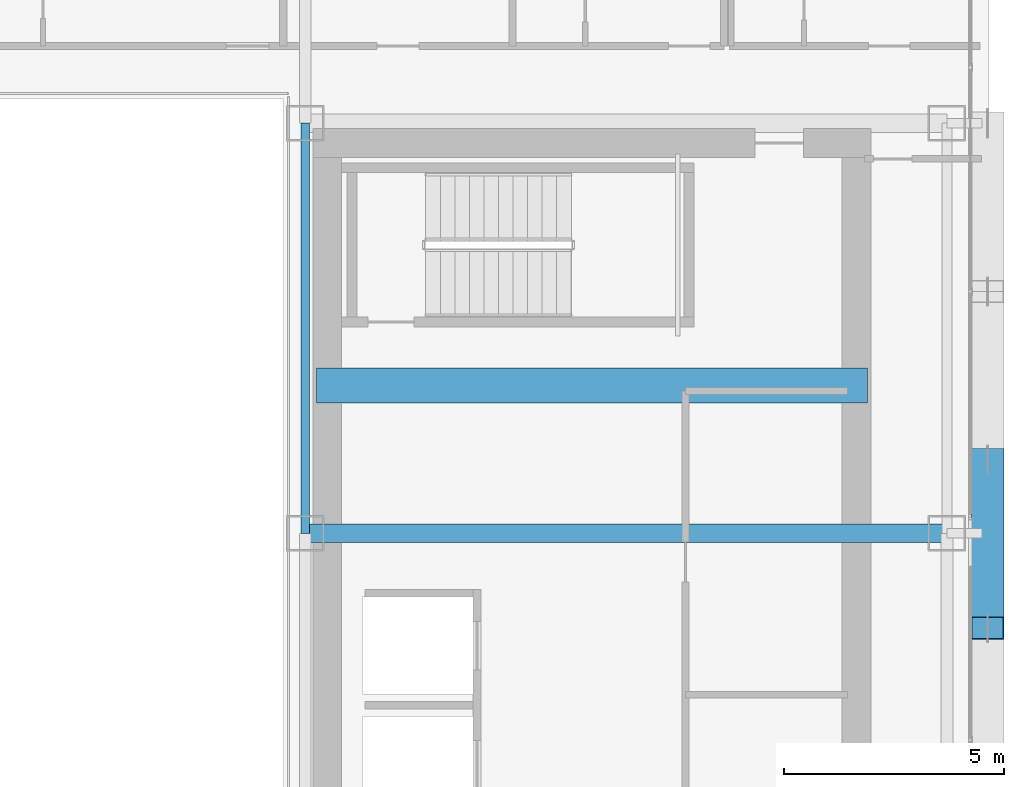
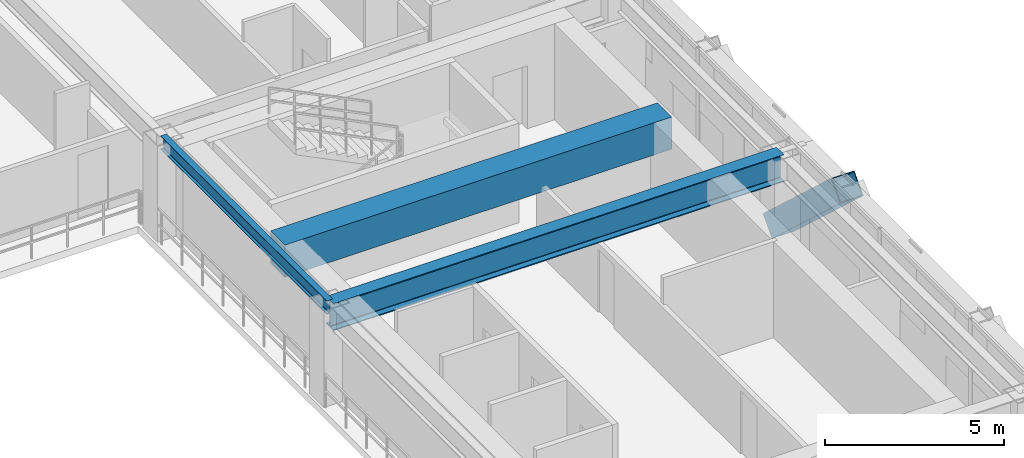
# One storey, part 14 of 36: 3 beams, 1 member.
"""IFC4 building model written with IfcOpenShell, lengths in metres."""

from ifc_helpers import new_model, si_unit, direction, frame, origin, origin_2d, place, context, subcontext, project, spatial, rectangle, hollow_rectangle, i_section, extrude, source, transform, mapped, material, material_profile, profile_set, type_object, element, save


model = new_model("IFC4")

# Units and contexts
model_context = context("Model", 3, precision=1e-05, world=origin(), true_north=direction((0.0, 1.0)))
body_context = subcontext(model_context, "Body", "Model", "MODEL_VIEW")
ifc_project = project(units=[si_unit("LENGTHUNIT", "METRE"), si_unit("AREAUNIT", "SQUARE_METRE"), si_unit("VOLUMEUNIT", "CUBIC_METRE"), si_unit("PLANEANGLEUNIT", "RADIAN"), si_unit("MASSUNIT", "GRAM", prefix="KILO")], contexts=[model_context])

# Site, building, storey
site_placement = place(None, origin())
site = spatial("IfcSite", under=ifc_project, at=site_placement, CompositionType="ELEMENT")
building_placement = place(site_placement, origin())
building = spatial("IfcBuilding", under=site, at=building_placement, Name="Ocotamira Hotel", CompositionType="ELEMENT")
storey_placement = place(building_placement, frame((0.0, 0.0, 147.60009765625)))
storey = spatial("IfcBuildingStorey", under=building, at=storey_placement, Name="L37", CompositionType="ELEMENT", Elevation=147.60009765625)

# Beams
ifc_material_1 = material(Name="Concrete C60/75", Category="concrete")
ifc_material_profile_1 = material_profile(ifc_material_1, rectangle(XDim=0.800048828125, YDim=1.10009765625, at=origin_2d()), Name="RC800X1100")
ifc_profile_set_1 = profile_set([ifc_material_profile_1], Name="Concrete C60/75")
beam_type_1 = type_object("IfcBeamType", Name="BM-LINK-RC800", PredefinedType="LINTEL", material=ifc_profile_set_1)
shared_shape_1 = source(origin(), body_context, "Body", "SweptSolid", [
    extrude(rectangle(XDim=0.800048828125, YDim=1.10009765625, at=origin_2d()), origin(), (0.0, 0.0, 1.0), 12.5),
])
beam_1_placement = place(storey_placement, frame((40.75, 31.5, 2.72998046875), z_axis=(1.0, 0.0, 0.0), x_axis=(0.0, 1.0, 0.0)))
element("IfcBeam", 1, at=beam_1_placement, inside=storey, type_object=beam_type_1, Name="L37 East Core Coupling Beam", PredefinedType="LINTEL", context=body_context, shape_type="MappedRepresentation", body=[
    mapped(shared_shape_1, transform((0.0, 0.0, 0.0), scale=1.0)),
])
ifc_material_2 = material(Name="Steel ASTM A992 Grade 50", Category="steel")
ifc_material_profile_2 = material_profile(ifc_material_2, i_section(OverallWidth=0.41796875, OverallDepth=0.927001953125, WebThickness=0.019287109375, FlangeThickness=0.031982421875, FilletRadius=0.02392578125, at=origin_2d()), Name="W36X231")
ifc_profile_set_2 = profile_set([ifc_material_profile_2], Name="Steel ASTM A992 Grade 50")
beam_type_2 = type_object("IfcBeamType", Name="BM-GIRD-W36X231", PredefinedType="BEAM", material=ifc_profile_set_2)
shared_shape_2 = source(origin(), body_context, "Body", "SweptSolid", [
    extrude(i_section(OverallWidth=0.41796875, OverallDepth=0.927001953125, WebThickness=0.019287109375, FlangeThickness=0.031982421875, FilletRadius=0.02392578125, at=origin_2d()), origin(), (0.0, 0.0, 1.0), 14.550048828125),
])
beam_2_placement = place(storey_placement, frame((40.5, 28.14990234375, 2.81640625), z_axis=(1.0, 0.0, 0.0), x_axis=(0.0, 1.0, 0.0)))
element("IfcBeam", 2, at=beam_2_placement, inside=storey, type_object=beam_type_2, Name="L37 Girder Y28.15 X40.5-55.05", PredefinedType="BEAM", context=body_context, shape_type="MappedRepresentation", body=[
    mapped(shared_shape_2, transform((0.0, 0.0, 0.0), scale=1.0)),
])
ifc_material_profile_3 = material_profile(ifc_material_2, i_section(OverallWidth=0.18994140625, OverallDepth=0.45703125, WebThickness=0.009033203125, FlangeThickness=0.014404296875, FilletRadius=0.010009765625, at=origin_2d()), Name="W18X50")
ifc_profile_set_3 = profile_set([ifc_material_profile_3], Name="Steel ASTM A992 Grade 50")
beam_type_3 = type_object("IfcBeamType", Name="BM-SEC-W18X50", PredefinedType="JOIST", material=ifc_profile_set_3)
shared_shape_3 = source(origin(), body_context, "Body", "SweptSolid", [
    extrude(i_section(OverallWidth=0.18994140625, OverallDepth=0.45703125, WebThickness=0.009033203125, FlangeThickness=0.014404296875, FilletRadius=0.010009765625, at=origin_2d()), origin(), (0.0, 0.0, 1.0), 9.300048828125),
])
beam_3_placement = place(storey_placement, frame((40.5, 28.14990234375, 3.051513671875), z_axis=(0.0, 1.0, 0.0), x_axis=(-1.0, 0.0, 0.0)))
element("IfcBeam", 3, at=beam_3_placement, inside=storey, type_object=beam_type_3, Name="L37 Beam X40.5 Y28.15-37.45", PredefinedType="JOIST", context=body_context, shape_type="MappedRepresentation", body=[
    mapped(shared_shape_3, transform((0.0, 0.0, 0.0), scale=1.0)),
])

# Member
ifc_material_3 = material(Name="Pale-metal coated steel ASTM A913 Grade 65", Category="steel")
ifc_material_profile_4 = material_profile(ifc_material_3, hollow_rectangle(XDim=0.75, YDim=0.75, WallThickness=0.028076171875, at=origin_2d()), Name="BOX750X750X28")
ifc_profile_set_4 = profile_set([ifc_material_profile_4], Name="Pale-metal coated steel ASTM A913 Grade 65")
member_type = type_object("IfcMemberType", Name="MEM-EXO-BOX750", PredefinedType="BRACE", material=ifc_profile_set_4)
shared_shape_4 = source(origin(), body_context, "Body", "SweptSolid", [
    extrude(hollow_rectangle(XDim=0.75, YDim=0.75, WallThickness=0.028076171875, at=origin_2d()), origin(), (0.0, 0.0, 1.0), 5.19189453125),
])
member_placement = place(storey_placement, frame((55.969970703125, 29.816650390625, -0.489990234375), z_axis=(0.0, -0.735118858477, 0.677938244909), x_axis=(1.0, 0.0, 0.0)))
element("IfcMember", 4, at=member_placement, inside=storey, type_object=member_type, Name="L37 Exoskeleton Diagrid E1.2", PredefinedType="BRACE", context=body_context, shape_type="MappedRepresentation", body=[
    mapped(shared_shape_4, transform((0.0, 0.0, 0.0), scale=1.0)),
])

save(model, "model.ifc")
